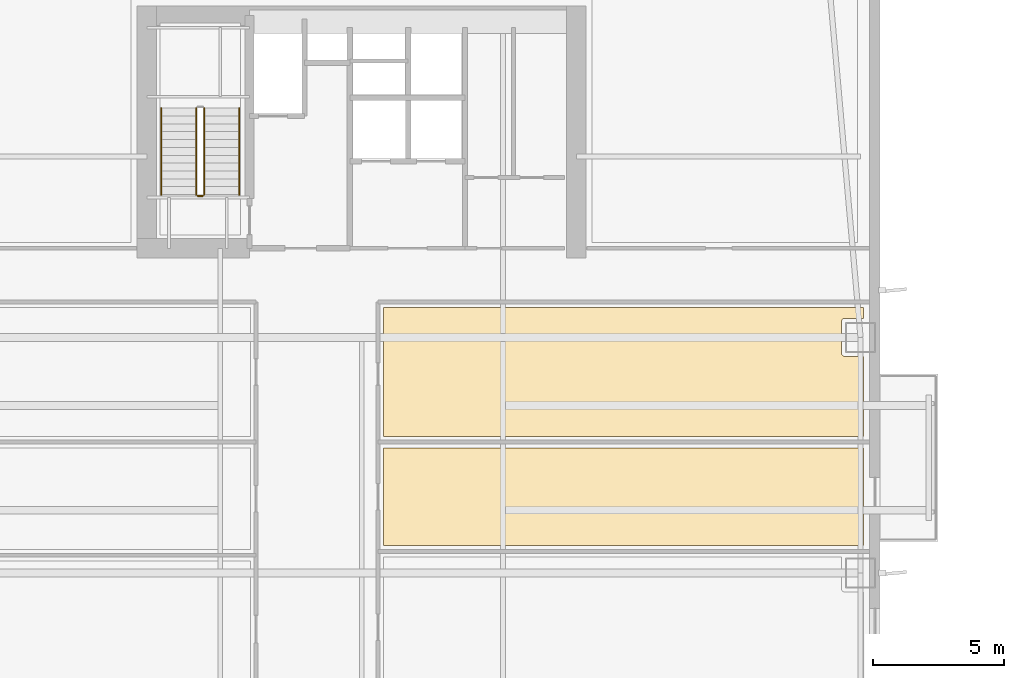
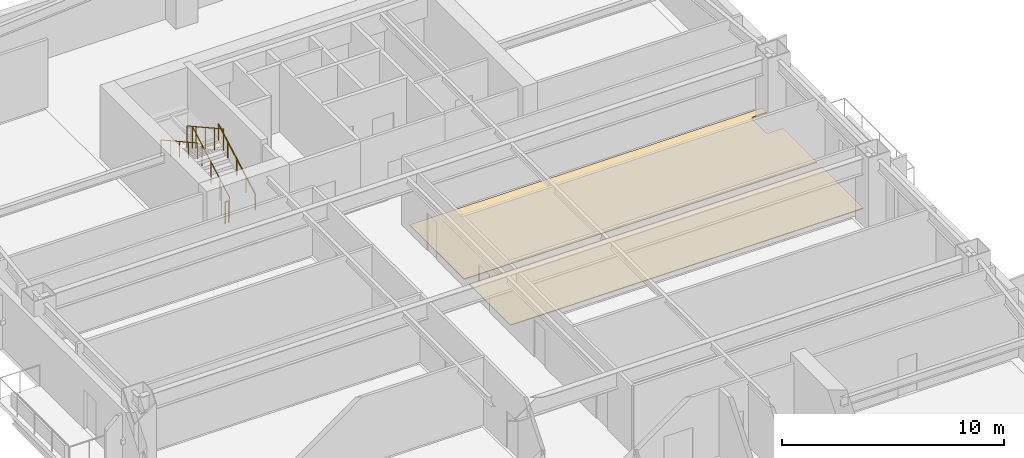
# One storey, part 15 of 21: 5 railings, 2 coverings.
"""IFC4 building model written with IfcOpenShell, lengths in metres."""

from ifc_helpers import new_model, si_unit, direction, frame, origin, origin_2d, place, context, subcontext, project, spatial, polyline, circle, outline, extrude, material, layer, layer_set, type_object, element, save


model = new_model("IFC4")

# Units and contexts
model_context = context("Model", 3, precision=1e-05, world=origin(), true_north=direction((0.0, 1.0)))
body_context = subcontext(model_context, "Body", "Model", "MODEL_VIEW")
ifc_project = project(units=[si_unit("LENGTHUNIT", "METRE"), si_unit("AREAUNIT", "SQUARE_METRE"), si_unit("VOLUMEUNIT", "CUBIC_METRE"), si_unit("PLANEANGLEUNIT", "RADIAN"), si_unit("MASSUNIT", "GRAM", prefix="KILO")], contexts=[model_context])

# Site, building, storey
site_placement = place(None, origin())
site = spatial("IfcSite", under=ifc_project, at=site_placement, CompositionType="ELEMENT")
building_placement = place(site_placement, origin())
building = spatial("IfcBuilding", under=site, at=building_placement, Name="Qiaolan Cultural Towers", CompositionType="ELEMENT")
storey_placement = place(building_placement, frame((0.0, 0.0, 34.0)))
storey = spatial("IfcBuildingStorey", under=building, at=storey_placement, Name="L07", CompositionType="ELEMENT", Elevation=34.0)

# Coverings
ifc_material_1 = material(Name="Honed Terrazzo & Raised Access Flooring", Category="concrete")
ifc_layer = layer(ifc_material_1, 0.0400390625)
ifc_layer_set = layer_set([ifc_layer], Name="Honed Terrazzo & Raised Access Flooring")
covering_type = type_object("IfcCoveringType", Name="COV-FLR-STONE", PredefinedType="FLOORING", material=ifc_layer_set)
covering_1_placement = place(storey_placement, origin())
element("IfcCovering", 1, at=covering_1_placement, inside=storey, type_object=covering_type, Name="L07 Tea Pantry Finish Flooring", PredefinedType="FLOORING", context=body_context, shape_type="SweptSolid", body=[
    extrude(outline(polyline([(49.159912109375, 35.048095703125), (49.159912109375, 38.780029296875), (30.844970703125, 38.780029296875), (30.844970703125, 35.048095703125), (49.159912109375, 35.048095703125)])), origin(), (0.0, 0.0, 1.0), 0.0400390625),
])
covering_2_placement = place(storey_placement, origin())
element("IfcCovering", 2, at=covering_2_placement, inside=storey, type_object=covering_type, Name="L07 Design Office Finish Flooring", PredefinedType="FLOORING", context=body_context, shape_type="SweptSolid", body=[
    extrude(outline(polyline([(49.159912109375, 42.27490234375), (48.445068359375, 42.27490234375), (48.433349609375, 42.275634765625), (48.421630859375, 42.27734375), (48.41015625, 42.2802734375), (48.399169921875, 42.2841796875), (48.388427734375, 42.2890625), (48.37841796875, 42.295166015625), (48.368896484375, 42.30224609375), (48.360107421875, 42.31005859375), (48.352294921875, 42.31884765625), (48.34521484375, 42.328369140625), (48.339111328125, 42.33837890625), (48.334228515625, 42.34912109375), (48.330078125, 42.360107421875), (48.327392578125, 42.37158203125), (48.32568359375, 42.38330078125), (48.324951171875, 42.39501953125), (48.324951171875, 43.60498046875), (48.32568359375, 43.61669921875), (48.327392578125, 43.62841796875), (48.330078125, 43.639892578125), (48.334228515625, 43.65087890625), (48.339111328125, 43.66162109375), (48.34521484375, 43.671630859375), (48.352294921875, 43.68115234375), (48.360107421875, 43.68994140625), (48.368896484375, 43.69775390625), (48.37841796875, 43.704833984375), (48.388427734375, 43.7109375), (48.399169921875, 43.7158203125), (48.41015625, 43.7197265625), (48.421630859375, 43.72265625), (48.433349609375, 43.724365234375), (48.445068359375, 43.72509765625), (49.159912109375, 43.72509765625), (49.159912109375, 44.1298828125), (30.844970703125, 44.1298828125), (30.844970703125, 39.219970703125), (49.159912109375, 39.219970703125), (49.159912109375, 42.27490234375)])), origin(), (0.0, 0.0, 1.0), 0.0400390625),
])

# Railings
ifc_material_2 = material(Name="Galvanized Painted Steel Stair Guardrail", Category="steel")
railing_type_1 = type_object("IfcRailingType", Name="RL-STAIR-GRD", PredefinedType="GUARDRAIL", material=ifc_material_2)
railing_1_placement = place(storey_placement, frame((23.989990234375, 48.449951171875, 0.166748046875)))
element("IfcRailing", 3, at=railing_1_placement, inside=storey, type_object=railing_type_1, Name="L07 ST-W2 stair guard 1", PredefinedType="GUARDRAIL", context=body_context, shape_type="SweptSolid", body=[
    extrude(circle(Radius=0.02392578125, at=origin_2d()), frame((0.0, 0.0, 1.17578125), z_axis=(0.0, 0.874169478083, 0.485620966999), x_axis=(-1.0, 0.0, 0.0)), (0.0, 0.0, 1.0), 3.775146484375),
    extrude(circle(Radius=0.02099609375, at=origin_2d()), origin(), (0.0, 0.0, 1.0), 1.15185546875),
    extrude(circle(Radius=0.02099609375, at=origin_2d()), frame((0.0, 0.824951171875, 0.458251953125)), (0.0, 0.0, 1.0), 1.15185546875),
    extrude(circle(Radius=0.02099609375, at=origin_2d()), frame((0.0, 1.64990234375, 0.91650390625)), (0.0, 0.0, 1.0), 1.15185546875),
    extrude(circle(Radius=0.02099609375, at=origin_2d()), frame((0.0, 2.47509765625, 1.375)), (0.0, 0.0, 1.0), 1.15185546875),
    extrude(circle(Radius=0.02099609375, at=origin_2d()), frame((0.0, 3.300048828125, 1.833251953125)), (0.0, 0.0, 1.0), 1.15185546875),
])
railing_2_placement = place(storey_placement, frame((23.68994140625, 51.75, 2.166748046875)))
element("IfcRailing", 4, at=railing_2_placement, inside=storey, type_object=railing_type_1, Name="L07 ST-W2 stair guard 3", PredefinedType="GUARDRAIL", context=body_context, shape_type="SweptSolid", body=[
    extrude(circle(Radius=0.02392578125, at=origin_2d()), frame((0.0, 0.0, 1.17578125), z_axis=(0.0, -0.874169478083, 0.485620966999), x_axis=(1.0, 0.0, 0.0)), (0.0, 0.0, 1.0), 3.775146484375),
    extrude(circle(Radius=0.02099609375, at=origin_2d()), origin(), (0.0, 0.0, 1.0), 1.15185546875),
    extrude(circle(Radius=0.02099609375, at=origin_2d()), frame((0.0, -0.824951171875, 0.458251953125)), (0.0, 0.0, 1.0), 1.15185546875),
    extrude(circle(Radius=0.02099609375, at=origin_2d()), frame((0.0, -1.64990234375, 0.91650390625)), (0.0, 0.0, 1.0), 1.15185546875),
    extrude(circle(Radius=0.02099609375, at=origin_2d()), frame((0.0, -2.47509765625, 1.375)), (0.0, 0.0, 1.0), 1.15185546875),
    extrude(circle(Radius=0.02099609375, at=origin_2d()), frame((0.0, -3.300048828125, 1.833251953125)), (0.0, 0.0, 1.0), 1.15185546875),
])
railing_3_placement = place(storey_placement, frame((23.93994140625, 48.39990234375, 0.0)))
element("IfcRailing", 5, at=railing_3_placement, inside=storey, type_object=railing_type_1, Name="L07 ST-W2 stair guard 4", PredefinedType="GUARDRAIL", context=body_context, shape_type="SweptSolid", body=[
    extrude(circle(Radius=0.02392578125, at=origin_2d()), frame((0.0, 0.0, 1.17578125), z_axis=(-1.0, 0.0, 0.0), x_axis=(0.0, -1.0, 0.0)), (0.0, 0.0, 1.0), 0.199951171875),
    extrude(circle(Radius=0.02099609375, at=origin_2d()), origin(), (0.0, 0.0, 1.0), 1.15185546875),
    extrude(circle(Radius=0.02099609375, at=origin_2d()), frame((-0.199951171875, 0.0, 0.0)), (0.0, 0.0, 1.0), 1.15185546875),
])
ifc_material_3 = material(Name="Stainless Steel S30408 Tubular Handrail", Category="steel")
railing_type_2 = type_object("IfcRailingType", Name="RL-STAIR-HR", PredefinedType="HANDRAIL", material=ifc_material_3)
railing_4_placement = place(storey_placement, frame((25.330078125, 48.449951171875, 0.166748046875)))
element("IfcRailing", 6, at=railing_4_placement, inside=storey, type_object=railing_type_2, Name="L07 ST-W2 stair handrail 1", PredefinedType="HANDRAIL", context=body_context, shape_type="SweptSolid", body=[
    extrude(circle(Radius=0.02392578125, at=origin_2d()), frame((0.0, 0.0, 0.8759765625), z_axis=(0.0, 0.874169478083, 0.485620966999), x_axis=(-1.0, 0.0, 0.0)), (0.0, 0.0, 1.0), 3.775146484375),
    extrude(circle(Radius=0.02099609375, at=origin_2d()), origin(), (0.0, 0.0, 1.0), 0.851806640625),
    extrude(circle(Radius=0.02099609375, at=origin_2d()), frame((0.0, 0.824951171875, 0.458251953125)), (0.0, 0.0, 1.0), 0.851806640625),
    extrude(circle(Radius=0.02099609375, at=origin_2d()), frame((0.0, 1.64990234375, 0.91650390625)), (0.0, 0.0, 1.0), 0.851806640625),
    extrude(circle(Radius=0.02099609375, at=origin_2d()), frame((0.0, 2.47509765625, 1.375)), (0.0, 0.0, 1.0), 0.851806640625),
    extrude(circle(Radius=0.02099609375, at=origin_2d()), frame((0.0, 3.300048828125, 1.833251953125)), (0.0, 0.0, 1.0), 0.851806640625),
])
railing_5_placement = place(storey_placement, frame((22.35009765625, 51.75, 2.166748046875)))
element("IfcRailing", 7, at=railing_5_placement, inside=storey, type_object=railing_type_2, Name="L07 ST-W2 stair handrail 2", PredefinedType="HANDRAIL", context=body_context, shape_type="SweptSolid", body=[
    extrude(circle(Radius=0.02392578125, at=origin_2d()), frame((0.0, 0.0, 0.8759765625), z_axis=(0.0, -0.874169478083, 0.485620966999), x_axis=(1.0, 0.0, 0.0)), (0.0, 0.0, 1.0), 3.775146484375),
    extrude(circle(Radius=0.02099609375, at=origin_2d()), origin(), (0.0, 0.0, 1.0), 0.851806640625),
    extrude(circle(Radius=0.02099609375, at=origin_2d()), frame((0.0, -0.824951171875, 0.458251953125)), (0.0, 0.0, 1.0), 0.851806640625),
    extrude(circle(Radius=0.02099609375, at=origin_2d()), frame((0.0, -1.64990234375, 0.91650390625)), (0.0, 0.0, 1.0), 0.851806640625),
    extrude(circle(Radius=0.02099609375, at=origin_2d()), frame((0.0, -2.47509765625, 1.375)), (0.0, 0.0, 1.0), 0.851806640625),
    extrude(circle(Radius=0.02099609375, at=origin_2d()), frame((0.0, -3.300048828125, 1.833251953125)), (0.0, 0.0, 1.0), 0.851806640625),
])

save(model, "model.ifc")
